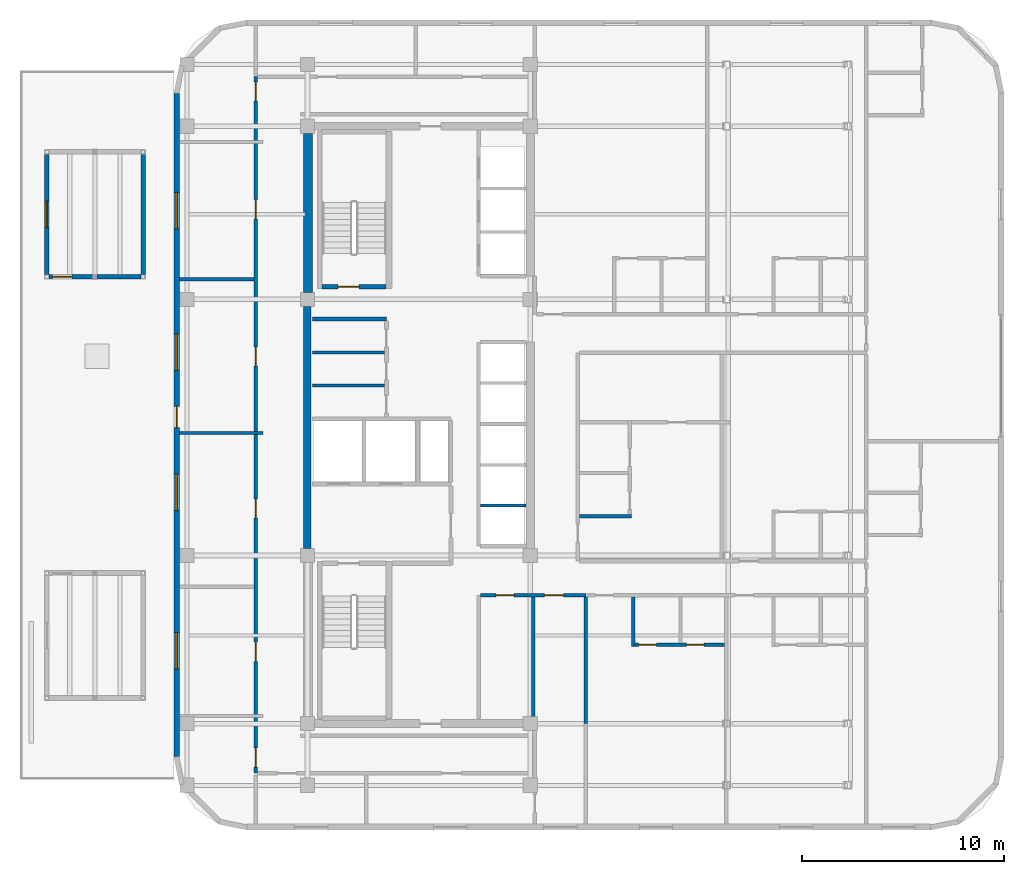
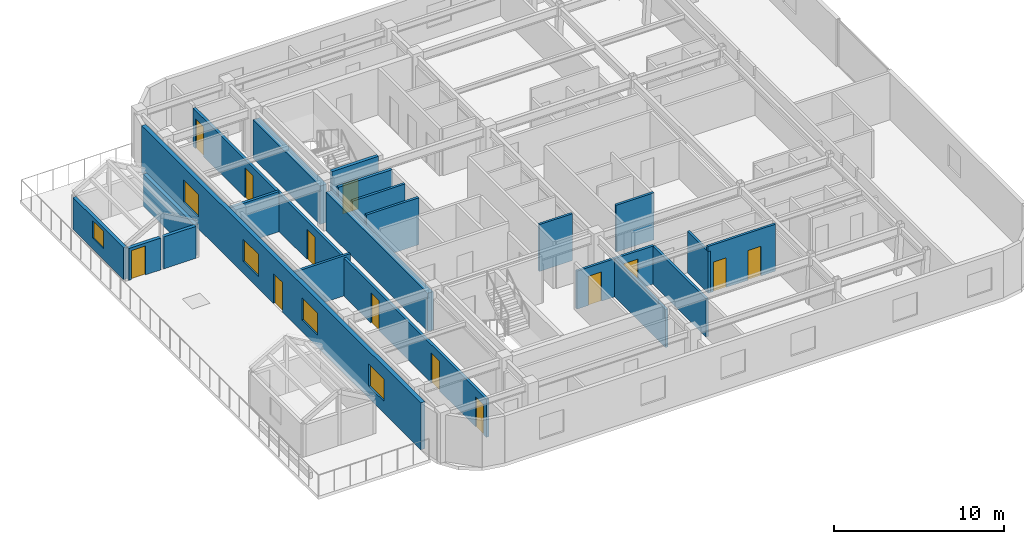
# One storey, part 12 of 16: 21 walls, 13 doors, 5 windows, 18 openings.
"""IFC4 building model written with IfcOpenShell, lengths in metres."""

import ifcopenshell
import ifcopenshell.guid

model = None  # the IFC model being written
_history = None  # IfcOwnerHistory: only IFC2X3 demands one
_inside = {}  # id of a spatial element -> (the spatial element, [elements in it])
_under = {}  # id of a project, library or spatial element -> (it, [spatial elements below it])
_declared = {}  # id of a project -> (the project, [libraries it declares])
_typed = {}  # id of a type object -> (the type object, [elements of that type])
_made_of = {}  # id of a material, layer set ... -> (it, [elements and type objects made of it])


def new_model(schema):
    """Start an empty IFC model of exactly this schema.

    Asked for "IFC4X3", IfcOpenShell would pick the latest addendum, in which some entities
    have other attributes; the version numbers below select the first issue.
    IFC2X3 requires an IfcOwnerHistory on every rooted entity: one is made here for all.
    """
    global model, _history
    if schema == "IFC4X3":
        model = ifcopenshell.file(schema_version=(4, 3, 0, 0))
    else:
        model = ifcopenshell.file(schema=schema)
    _inside.clear()
    _under.clear()
    _declared.clear()
    _typed.clear()
    _made_of.clear()
    _history = None
    if model.schema == "IFC2X3":
        org = make("IfcOrganization", Name="unknown")
        user = make(
            "IfcPersonAndOrganization",
            ThePerson=make("IfcPerson", FamilyName="unknown"),
            TheOrganization=org,
        )
        app = make(
            "IfcApplication",
            ApplicationDeveloper=org,
            Version="unknown",
            ApplicationFullName="unknown",
            ApplicationIdentifier="unknown",
        )
        _history = make(
            "IfcOwnerHistory",
            OwningUser=user,
            OwningApplication=app,
            ChangeAction="ADDED",
            CreationDate=0,
        )
    return model


def make(cls, **values):
    """One entity of the class cls with the attributes given. An attribute that is None is left unset."""
    return model.create_entity(
        cls, **{name: value for name, value in values.items() if value is not None}
    )


def rooted(cls, **values):
    """An entity with a GlobalId (a new one), such as an element, a storey or a relation."""
    return make(cls, GlobalId=ifcopenshell.guid.new(), OwnerHistory=_history, **values)


def si_unit(unit_type, name, prefix=None):
    """IfcSIUnit, for example si_unit("LENGTHUNIT", "METRE", prefix="MILLI")."""
    return make("IfcSIUnit", UnitType=unit_type, Prefix=prefix, Name=name)


def assignment(units):
    """IfcUnitAssignment: the units of a project."""
    return None if units is None else make("IfcUnitAssignment", Units=units)


def point(xyz):
    """IfcCartesianPoint."""
    return None if xyz is None else make("IfcCartesianPoint", Coordinates=xyz)


def direction(xyz):
    """IfcDirection."""
    return None if xyz is None else make("IfcDirection", DirectionRatios=xyz)


def frame(location, z_axis=None, x_axis=None):
    """IfcAxis2Placement3D, a coordinate frame: its origin and axes. An axis left out is left unset."""
    return make(
        "IfcAxis2Placement3D",
        Location=point(location),
        Axis=direction(z_axis),
        RefDirection=direction(x_axis),
    )


def frame_2d(location, x_axis=None):
    """IfcAxis2Placement2D, a coordinate frame in the plane: its origin and x axis."""
    return make(
        "IfcAxis2Placement2D", Location=point(location), RefDirection=direction(x_axis)
    )


def origin():
    """The frame at (0, 0, 0) with its axes left unset."""
    return frame((0.0, 0.0, 0.0))


def place(relative_to, where):
    """IfcLocalPlacement: puts the frame where relative to a parent placement (None: the world)."""
    return make(
        "IfcLocalPlacement", PlacementRelTo=relative_to, RelativePlacement=where
    )


def context(
    kind, dimensions, precision=None, world=None, true_north=None, identifier=None
):
    """IfcGeometricRepresentationContext, for example the 3D "Model" context."""
    return make(
        "IfcGeometricRepresentationContext",
        ContextIdentifier=identifier,
        ContextType=kind,
        CoordinateSpaceDimension=dimensions,
        Precision=precision,
        WorldCoordinateSystem=world,
        TrueNorth=true_north,
    )


def subcontext(parent, identifier, kind, view, scale=None):
    """IfcGeometricRepresentationSubContext, for example "Body" below "Model"."""
    return make(
        "IfcGeometricRepresentationSubContext",
        ContextIdentifier=identifier,
        ContextType=kind,
        ParentContext=parent,
        TargetScale=scale,
        TargetView=view,
    )


def project(units=None, contexts=None):
    """IfcProject with its units and contexts."""
    return rooted(
        "IfcProject",
        Name="project",
        RepresentationContexts=contexts,
        UnitsInContext=assignment(units),
    )


def spatial(cls, under=None, at=None, **own):
    """A site, building, storey or space (cls), placed at a placement, below another one or the project."""
    s = rooted(cls, ObjectPlacement=at, **own)
    if under is not None:
        _under.setdefault(under.id(), (under, []))[1].append(s)
    return s


def profile(cls, at=None, kind="AREA", **sizes):
    """A parametric profile (cls). Its sizes go by their IFC names, for example OverallWidth=200.0."""
    return make(cls, ProfileType=kind, Position=at, **sizes)


def rectangle(**sizes):
    """IfcRectangleProfileDef."""
    return profile("IfcRectangleProfileDef", **sizes)


def extrude(swept, where, along, depth):
    """IfcExtrudedAreaSolid: the profile swept, set in the frame where, extruded along a direction by depth."""
    return make(
        "IfcExtrudedAreaSolid",
        SweptArea=swept,
        Position=where,
        ExtrudedDirection=direction(along),
        Depth=depth,
    )


def shape(context_of_items, identifier, shape_type, items):
    """IfcShapeRepresentation: the items that make up one representation, for example the "Body"."""
    return make(
        "IfcShapeRepresentation",
        ContextOfItems=context_of_items,
        RepresentationIdentifier=identifier,
        RepresentationType=shape_type,
        Items=items,
    )


def material(Name=None, Category=None):
    """IfcMaterial."""
    return make("IfcMaterial", Name=Name, Category=Category)


def layer(
    of_material, thickness, ventilated=None, Name=None, Category=None, Priority=None
):
    """IfcMaterialLayer: one layer of a wall or slab, of a material (None: an air gap)."""
    return make(
        "IfcMaterialLayer",
        Material=of_material,
        LayerThickness=thickness,
        IsVentilated=ventilated,
        Name=Name,
        Category=Category,
        Priority=Priority,
    )


def layer_set(layers, Name=None):
    """IfcMaterialLayerSet."""
    return make("IfcMaterialLayerSet", MaterialLayers=layers, LayerSetName=Name)


def made_of(thing, what):
    """Note that an element or type object is made of a material, layer set ...; save() writes the relation."""
    if what is not None:
        _made_of.setdefault(what.id(), (what, []))[1].append(thing)
    return thing


def type_object(cls, material=None, **own):
    """A type object (cls), such as IfcWallType, which elements share."""
    return made_of(rooted(cls, **own), material)


def element(
    cls,
    number,
    at=None,
    inside=None,
    cuts=None,
    type_object=None,
    material=None,
    context=None,
    identifier="Body",
    shape_type=None,
    held_by="IfcProductDefinitionShape",
    body=None,
    shapes=None,
    **own,
):
    """One element of the class cls, such as IfcWall. Its Tag is "e" and its number.

    at: its placement. inside: the storey or other place that contains it. cuts: it is an
    opening in that element (IfcRelVoidsElement). A single representation is given by context,
    identifier, shape_type and body (its items); several are given by shapes. held_by: the class
    of the entity that holds the representations. save() writes the other relations.
    """
    e = rooted(cls, Tag="e%d" % number, ObjectPlacement=at, **own)
    if body is not None:
        shapes = [shape(context, identifier, shape_type, body)]
    if shapes is not None:
        e.Representation = make(held_by, Representations=shapes)
    if inside is not None:
        _inside.setdefault(inside.id(), (inside, []))[1].append(e)
    if cuts is not None:
        rooted(
            "IfcRelVoidsElement", RelatingBuildingElement=cuts, RelatedOpeningElement=e
        )
    if type_object is not None:
        _typed.setdefault(type_object.id(), (type_object, []))[1].append(e)
    return made_of(e, material)


def fill(opening, filler):
    """IfcRelFillsElement: the door or window that sits in an opening."""
    return rooted(
        "IfcRelFillsElement",
        RelatingOpeningElement=opening,
        RelatedBuildingElement=filler,
    )


def aggregate(whole, parts):
    """IfcRelAggregates: a whole, such as a stair, and the parts it consists of."""
    return rooted("IfcRelAggregates", RelatingObject=whole, RelatedObjects=parts)


def save(model, path):
    """Write the relations noted so far, then the file.

    IfcRelAggregates (storeys below a building ...), IfcRelContainedInSpatialStructure (elements
    in a storey), IfcRelDefinesByType, IfcRelAssociatesMaterial and IfcRelDeclares: one each for
    every whole, place, type object, material and project.
    """
    for whole, parts in _under.values():
        aggregate(whole, parts)
    for where, things in _inside.values():
        rooted(
            "IfcRelContainedInSpatialStructure",
            RelatedElements=things,
            RelatingStructure=where,
        )
    for kind, things in _typed.values():
        rooted("IfcRelDefinesByType", RelatedObjects=things, RelatingType=kind)
    for what, things in _made_of.values():
        rooted("IfcRelAssociatesMaterial", RelatedObjects=things, RelatingMaterial=what)
    for by, libraries in _declared.values():
        rooted("IfcRelDeclares", RelatingContext=by, RelatedDefinitions=libraries)
    model.write(path)


model = new_model("IFC4")

# Units and contexts
model_context = context("Model", 3, precision=1e-05, world=origin(), true_north=direction((0.0, 1.0)))
body_context = subcontext(model_context, "Body", "Model", "MODEL_VIEW")
ifc_project = project(units=[si_unit("LENGTHUNIT", "METRE"), si_unit("AREAUNIT", "SQUARE_METRE"), si_unit("VOLUMEUNIT", "CUBIC_METRE"), si_unit("PLANEANGLEUNIT", "RADIAN"), si_unit("MASSUNIT", "GRAM", prefix="KILO")], contexts=[model_context])

# Site, building, storey
site_placement = place(None, origin())
site = spatial("IfcSite", under=ifc_project, at=site_placement, CompositionType="ELEMENT")
building_placement = place(site_placement, origin())
building = spatial("IfcBuilding", under=site, at=building_placement, Name="Ochreholt Gables", CompositionType="ELEMENT")
storey_placement = place(building_placement, frame((0.0, 0.0, 141.0)))
storey = spatial("IfcBuildingStorey", under=building, at=storey_placement, Name="L36", CompositionType="ELEMENT", Elevation=141.0)

# Walls
ifc_material_1 = material(Name="Concrete 50 MPa", Category="concrete")
ifc_layer_1 = layer(ifc_material_1, 0.3798828125, Name="Concrete 50 MPa")
ifc_layer_set_1 = layer_set([ifc_layer_1], Name="Concrete 50 MPa")
wall_type_1 = type_object("IfcWallType", Name="WALL-CSW-380", PredefinedType="SHEAR", material=ifc_layer_set_1)
wall_1_placement = place(storey_placement, frame((24.18994140625, 17.89990234375, 0.0), z_axis=(0.0, 0.0, 1.0), x_axis=(0.0, 1.0, 0.0)))
element("IfcWall", 1, at=wall_1_placement, inside=storey, type_object=wall_type_1, Name="L36 Core West Shear Wall WM", PredefinedType="SHEAR", context=body_context, shape_type="SweptSolid", body=[
    extrude(rectangle(XDim=11.9501953125, YDim=0.3798828125, at=frame_2d((5.97509765625, 0.0))), origin(), (0.0, 0.0, 1.0), 2.748046875),
])
ifc_material_2 = material(Name="Concrete 60 MPa", Category="concrete")
ifc_layer_2 = layer(ifc_material_2, 0.449951171875, Name="Concrete 60 MPa")
ifc_layer_set_2 = layer_set([ifc_layer_2], Name="Concrete 60 MPa")
wall_type_2 = type_object("IfcWallType", Name="WALL-CSW-450", PredefinedType="SHEAR", material=ifc_layer_set_2)
wall_2_placement = place(storey_placement, frame((24.22509765625, 30.550048828125, 0.0), z_axis=(0.0, 0.0, 1.0), x_axis=(0.0, 1.0, 0.0)))
element("IfcWall", 2, at=wall_2_placement, inside=storey, type_object=wall_type_2, Name="L36 Core West Shear Wall WN", PredefinedType="SHEAR", context=body_context, shape_type="SweptSolid", body=[
    extrude(rectangle(XDim=7.849853515625, YDim=0.449951171875, at=frame_2d((3.9248046875, 0.0))), origin(), (0.0, 0.0, 1.0), 2.748046875),
])

# Wall, openings, door, windows
ifc_material_3 = material(Name="Precast concrete 40 MPa", Category="concrete")
ifc_layer_3 = layer(ifc_material_3, 0.280029296875, Name="Precast concrete 40 MPa")
ifc_layer_set_3 = layer_set([ifc_layer_3], Name="Precast concrete 40 MPa")
wall_type_3 = type_object("IfcWallType", Name="WALL-EXT-280", PredefinedType="SOLIDWALL", material=ifc_layer_set_3)
wall_3_placement = place(storey_placement, frame((17.739990234375, 40.3798828125, 0.0), z_axis=(0.0, 0.0, 1.0), x_axis=(0.0, -1.0, 0.0)))
wall_3 = element("IfcWall", 3, at=wall_3_placement, inside=storey, type_object=wall_type_3, Name="L36 West Exterior Wall", PredefinedType="SOLIDWALL", context=body_context, shape_type="SweptSolid", body=[
    extrude(rectangle(XDim=32.759765625, YDim=0.280029296875, at=frame_2d((16.3798828125, 0.0))), origin(), (0.0, 0.0, 1.0), 3.360107421875),
])
opening_1_placement = place(wall_3_placement, frame((15.4599609375, 0.0, 0.0)))
opening_1 = element("IfcOpeningElement", 4, at=opening_1_placement, cuts=wall_3, Name="Opening D-TR1", PredefinedType="OPENING", context=body_context, shape_type="SweptSolid", body=[
    extrude(rectangle(XDim=1.050048828125, YDim=2.14990234375, at=frame_2d((0.52490234375, 1.074951171875))), frame((0.0, 0.14990234375, 0.0), z_axis=(0.0, -1.0, 0.0), x_axis=(1.0, 0.0, 0.0)), (0.0, 0.0, 1.0), 0.300048828125),
])
opening_2_placement = place(wall_3_placement, frame((26.635009765625, 0.0, 0.85009765625)))
opening_2 = element("IfcOpeningElement", 5, at=opening_2_placement, cuts=wall_3, Name="Opening WN-1", PredefinedType="OPENING", context=body_context, shape_type="SweptSolid", body=[
    extrude(rectangle(XDim=1.800048828125, YDim=1.60009765625, at=frame_2d((0.89990234375, 0.800048828125))), frame((0.0, 0.14990234375, 0.0), z_axis=(0.0, -1.0, 0.0), x_axis=(1.0, 0.0, 0.0)), (0.0, 0.0, 1.0), 0.300048828125),
])
opening_3_placement = place(wall_3_placement, frame((18.81005859375, 0.0, 0.85009765625)))
opening_3 = element("IfcOpeningElement", 6, at=opening_3_placement, cuts=wall_3, Name="Opening WN-1", PredefinedType="OPENING", context=body_context, shape_type="SweptSolid", body=[
    extrude(rectangle(XDim=1.800048828125, YDim=1.60009765625, at=frame_2d((0.89990234375, 0.800048828125))), frame((0.0, 0.14990234375, 0.0), z_axis=(0.0, -1.0, 0.0), x_axis=(1.0, 0.0, 0.0)), (0.0, 0.0, 1.0), 0.300048828125),
])
opening_4_placement = place(wall_3_placement, frame((11.8798828125, 0.0, 0.85009765625)))
opening_4 = element("IfcOpeningElement", 7, at=opening_4_placement, cuts=wall_3, Name="Opening WN-1", PredefinedType="OPENING", context=body_context, shape_type="SweptSolid", body=[
    extrude(rectangle(XDim=1.800048828125, YDim=1.60009765625, at=frame_2d((0.89990234375, 0.800048828125))), frame((0.0, 0.14990234375, 0.0), z_axis=(0.0, -1.0, 0.0), x_axis=(1.0, 0.0, 0.0)), (0.0, 0.0, 1.0), 0.300048828125),
])
opening_5_placement = place(wall_3_placement, frame((4.892578125, 0.0, 0.85009765625)))
opening_5 = element("IfcOpeningElement", 8, at=opening_5_placement, cuts=wall_3, Name="Opening WN-1", PredefinedType="OPENING", context=body_context, shape_type="SweptSolid", body=[
    extrude(rectangle(XDim=1.800048828125, YDim=1.60009765625, at=frame_2d((0.89990234375, 0.800048828125))), frame((0.0, 0.14990234375, 0.0), z_axis=(0.0, -1.0, 0.0), x_axis=(1.0, 0.0, 0.0)), (0.0, 0.0, 1.0), 0.300048828125),
])
ifc_material_4 = material(Name="Thermally Broken Insulated Steel and Glass Door", Category="steel")
door_type_1 = type_object("IfcDoorType", Name="DR-EXT-TER1050", OperationType="NOTDEFINED", PredefinedType="DOOR", material=ifc_material_4)
door_1_placement = place(opening_1_placement, origin())
door_1 = element("IfcDoor", 9, at=door_1_placement, inside=storey, type_object=door_type_1, Name="L36 Outdoor Terrace Access Door TR-L36-W", OperationType="SINGLE_SWING_RIGHT", OverallHeight=2.14990234375, OverallWidth=1.050048828125, PredefinedType="DOOR", context=body_context, shape_type="SweptSolid", body=[
    extrude(rectangle(XDim=1.050048828125, YDim=2.14990234375, at=frame_2d((0.52490234375, 1.074951171875))), frame((0.0, 0.02490234375, 0.0), z_axis=(0.0, -1.0, 0.0), x_axis=(1.0, 0.0, 0.0)), (0.0, 0.0, 1.0), 0.050048828125),
])
fill(opening_1, door_1)
ifc_material_5 = material(Name="Triple-Glazed Thermally Broken Aluminium Window", Category="aluminium")
window_type_1 = type_object("IfcWindowType", Name="WIN-RES-1800", PartitioningType="SINGLE_PANEL", PredefinedType="WINDOW", material=ifc_material_5)
window_1_placement = place(opening_2_placement, origin())
window_1 = element("IfcWindow", 10, at=window_1_placement, inside=storey, type_object=window_type_1, Name="L36 Window W-EXT-W-L36-1", OverallHeight=1.60009765625, OverallWidth=1.800048828125, PartitioningType="SINGLE_PANEL", PredefinedType="WINDOW", context=body_context, shape_type="SweptSolid", body=[
    extrude(rectangle(XDim=1.800048828125, YDim=1.60009765625, at=frame_2d((0.89990234375, 0.800048828125))), frame((0.0, 0.030029296875, 0.0), z_axis=(0.0, -1.0, 0.0), x_axis=(1.0, 0.0, 0.0)), (0.0, 0.0, 1.0), 0.06005859375),
])
fill(opening_2, window_1)
window_2_placement = place(opening_3_placement, origin())
window_2 = element("IfcWindow", 11, at=window_2_placement, inside=storey, type_object=window_type_1, Name="L36 Window W-EXT-W-L36-2", OverallHeight=1.60009765625, OverallWidth=1.800048828125, PartitioningType="SINGLE_PANEL", PredefinedType="WINDOW", context=body_context, shape_type="SweptSolid", body=[
    extrude(rectangle(XDim=1.800048828125, YDim=1.60009765625, at=frame_2d((0.89990234375, 0.800048828125))), frame((0.0, 0.030029296875, 0.0), z_axis=(0.0, -1.0, 0.0), x_axis=(1.0, 0.0, 0.0)), (0.0, 0.0, 1.0), 0.06005859375),
])
fill(opening_3, window_2)
window_3_placement = place(opening_4_placement, origin())
window_3 = element("IfcWindow", 12, at=window_3_placement, inside=storey, type_object=window_type_1, Name="L36 Window W-EXT-W-L36-3", OverallHeight=1.60009765625, OverallWidth=1.800048828125, PartitioningType="SINGLE_PANEL", PredefinedType="WINDOW", context=body_context, shape_type="SweptSolid", body=[
    extrude(rectangle(XDim=1.800048828125, YDim=1.60009765625, at=frame_2d((0.89990234375, 0.800048828125))), frame((0.0, 0.030029296875, 0.0), z_axis=(0.0, -1.0, 0.0), x_axis=(1.0, 0.0, 0.0)), (0.0, 0.0, 1.0), 0.06005859375),
])
fill(opening_4, window_3)
window_4_placement = place(opening_5_placement, origin())
window_4 = element("IfcWindow", 13, at=window_4_placement, inside=storey, type_object=window_type_1, Name="L36 Window W-EXT-W-L36-4", OverallHeight=1.60009765625, OverallWidth=1.800048828125, PartitioningType="SINGLE_PANEL", PredefinedType="WINDOW", context=body_context, shape_type="SweptSolid", body=[
    extrude(rectangle(XDim=1.800048828125, YDim=1.60009765625, at=frame_2d((0.89990234375, 0.800048828125))), frame((0.0, 0.030029296875, 0.0), z_axis=(0.0, -1.0, 0.0), x_axis=(1.0, 0.0, 0.0)), (0.0, 0.0, 1.0), 0.06005859375),
])
fill(opening_5, window_4)

# Wall, opening, door
ifc_layer_4 = layer(ifc_material_3, 0.22998046875, Name="Precast concrete 40 MPa")
ifc_layer_set_4 = layer_set([ifc_layer_4], Name="Precast concrete 40 MPa")
wall_type_4 = type_object("IfcWallType", Name="WALL-EXT-GAB", PredefinedType="SOLIDWALL", material=ifc_layer_set_4)
wall_4_placement = place(storey_placement, frame((11.422119140625, 31.31494140625, 0.0), z_axis=(0.0, 0.0, 1.0), x_axis=(1.0, 0.0, 0.0)))
wall_4 = element("IfcWall", 14, at=wall_4_placement, inside=storey, type_object=wall_type_4, Name="L36 Gable End Wall GB-36W2-S1", PredefinedType="SOLIDWALL", context=body_context, shape_type="SweptSolid", body=[
    extrude(rectangle(XDim=2.17578125, YDim=0.22998046875, at=frame_2d((1.087890625, 0.0))), origin(), (0.0, 0.0, 1.0), 2.285400390625),
])
opening_6_placement = place(wall_4_placement, frame((0.179931640625, 0.0, 0.0)))
opening_6 = element("IfcOpeningElement", 15, at=opening_6_placement, cuts=wall_4, Name="Opening D-GB1", PredefinedType="OPENING", context=body_context, shape_type="SweptSolid", body=[
    extrude(rectangle(XDim=0.9599609375, YDim=2.080078125, at=frame_2d((0.47998046875, 1.0400390625))), frame((0.0, 0.125, 0.0), z_axis=(0.0, -1.0, 0.0), x_axis=(1.0, 0.0, 0.0)), (0.0, 0.0, 1.0), 0.25),
])
door_type_2 = type_object("IfcDoorType", Name="DR-EXT-GAB960", OperationType="NOTDEFINED", PredefinedType="DOOR", material=ifc_material_4)
door_2_placement = place(opening_6_placement, origin())
door_2 = element("IfcDoor", 16, at=door_2_placement, inside=storey, type_object=door_type_2, Name="L36 Gable Pavilion Door GB-36W2", OperationType="SINGLE_SWING_LEFT", OverallHeight=2.080078125, OverallWidth=0.9599609375, PredefinedType="DOOR", context=body_context, shape_type="SweptSolid", body=[
    extrude(rectangle(XDim=0.9599609375, YDim=2.080078125, at=frame_2d((0.47998046875, 1.0400390625))), frame((0.0, 0.02490234375, 0.0), z_axis=(0.0, -1.0, 0.0), x_axis=(1.0, 0.0, 0.0)), (0.0, 0.0, 1.0), 0.050048828125),
])
fill(opening_6, door_2)

# Wall
wall_5_placement = place(storey_placement, frame((13.802001953125, 31.31494140625, 0.0), z_axis=(0.0, 0.0, 1.0), x_axis=(1.0, 0.0, 0.0)))
element("IfcWall", 17, at=wall_5_placement, inside=storey, type_object=wall_type_4, Name="L36 Gable End Wall GB-36W2-S2", PredefinedType="SOLIDWALL", context=body_context, shape_type="SweptSolid", body=[
    extrude(rectangle(XDim=2.176025390625, YDim=0.22998046875, at=frame_2d((1.087890625, 0.0))), origin(), (0.0, 0.0, 1.0), 2.285400390625),
])

# Wall, opening, window
wall_6_placement = place(storey_placement, frame((11.31494140625, 31.422119140625, 0.0), z_axis=(0.0, 0.0, 1.0), x_axis=(0.0, 1.0, 0.0)))
wall_6 = element("IfcWall", 18, at=wall_6_placement, inside=storey, type_object=wall_type_4, Name="L36 Gable Eave Wall GB-36W2-W", PredefinedType="SOLIDWALL", context=body_context, shape_type="SweptSolid", body=[
    extrude(rectangle(XDim=5.955810546875, YDim=0.22998046875, at=frame_2d((2.97802734375, 0.0))), origin(), (0.0, 0.0, 1.0), 2.285400390625),
])
opening_7_placement = place(wall_6_placement, frame((2.327880859375, 0.0, 0.780029296875)))
opening_7 = element("IfcOpeningElement", 19, at=opening_7_placement, cuts=wall_6, Name="Opening WN-6", PredefinedType="OPENING", context=body_context, shape_type="SweptSolid", body=[
    extrude(rectangle(XDim=1.300048828125, YDim=1.25, at=frame_2d((0.64990234375, 0.625))), frame((0.0, 0.125, 0.0), z_axis=(0.0, -1.0, 0.0), x_axis=(1.0, 0.0, 0.0)), (0.0, 0.0, 1.0), 0.25),
])
window_type_2 = type_object("IfcWindowType", Name="WIN-GAB-1300", PartitioningType="SINGLE_PANEL", PredefinedType="WINDOW", material=ifc_material_5)
window_5_placement = place(opening_7_placement, origin())
window_5 = element("IfcWindow", 20, at=window_5_placement, inside=storey, type_object=window_type_2, Name="L36 Gable Pavilion Window GB-36W2", OverallHeight=1.25, OverallWidth=1.300048828125, PartitioningType="SINGLE_PANEL", PredefinedType="WINDOW", context=body_context, shape_type="SweptSolid", body=[
    extrude(rectangle(XDim=1.300048828125, YDim=1.25, at=frame_2d((0.64990234375, 0.625))), frame((0.0, 0.030029296875, 0.0), z_axis=(0.0, -1.0, 0.0), x_axis=(1.0, 0.0, 0.0)), (0.0, 0.0, 1.0), 0.06005859375),
])
fill(opening_7, window_5)

# Walls
wall_7_placement = place(storey_placement, frame((16.0849609375, 31.422119140625, 0.0), z_axis=(0.0, 0.0, 1.0), x_axis=(0.0, 1.0, 0.0)))
element("IfcWall", 21, at=wall_7_placement, inside=storey, type_object=wall_type_4, Name="L36 Gable Eave Wall GB-36W2-E", PredefinedType="SOLIDWALL", context=body_context, shape_type="SweptSolid", body=[
    extrude(rectangle(XDim=5.955810546875, YDim=0.22998046875, at=frame_2d((2.97802734375, 0.0))), origin(), (0.0, 0.0, 1.0), 2.285400390625),
])
ifc_material_6 = material(Name="Concrete 40 MPa", Category="concrete")
ifc_layer_5 = layer(ifc_material_6, 0.199951171875, Name="Concrete 40 MPa")
ifc_layer_set_5 = layer_set([ifc_layer_5], Name="Concrete 40 MPa")
wall_type_5 = type_object("IfcWallType", Name="WALL-INT-CF200", PredefinedType="STANDARD", material=ifc_layer_set_5)
wall_8_placement = place(storey_placement, frame((24.449951171875, 29.239990234375, 0.0), z_axis=(0.0, 0.0, 1.0), x_axis=(1.0, 0.0, 0.0)))
element("IfcWall", 22, at=wall_8_placement, inside=storey, type_object=wall_type_5, Name="L36 Interior Wall WI-SRVN-L36", PredefinedType="STANDARD", context=body_context, shape_type="SweptSolid", body=[
    extrude(rectangle(XDim=3.650146484375, YDim=0.199951171875, at=frame_2d((1.8251953125, 0.0))), origin(), (0.0, 0.0, 1.0), 3.360107421875),
])

# Wall, openings, doors
ifc_material_7 = material(Name="Fire-Rated Gypsum Acoustic Partition", Category="gypsum")
ifc_layer_6 = layer(ifc_material_7, 0.179931640625, Name="Fire-Rated Gypsum Acoustic Partition")
ifc_layer_set_6 = layer_set([ifc_layer_6], Name="Fire-Rated Gypsum Acoustic Partition")
wall_type_6 = type_object("IfcWallType", Name="WALL-INT-CR180", PredefinedType="STANDARD", material=ifc_layer_set_6)
wall_9_placement = place(storey_placement, frame((21.64990234375, 6.800048828125, 0.0), z_axis=(0.0, 0.0, 1.0), x_axis=(0.0, 1.0, 0.0)))
wall_9 = element("IfcWall", 23, at=wall_9_placement, inside=storey, type_object=wall_type_6, Name="L36 Interior Wall WI-C2WCW-L36", PredefinedType="STANDARD", context=body_context, shape_type="SweptSolid", body=[
    extrude(rectangle(XDim=34.39990234375, YDim=0.179931640625, at=frame_2d((17.199951171875, 0.0))), origin(), (0.0, 0.0, 1.0), 2.72998046875),
])
opening_8_placement = place(wall_9_placement, frame((0.300048828125, 0.0, 0.0)))
opening_8 = element("IfcOpeningElement", 24, at=opening_8_placement, cuts=wall_9, Name="Opening D-GN1", PredefinedType="OPENING", context=body_context, shape_type="SweptSolid", body=[
    extrude(rectangle(XDim=0.949951171875, YDim=2.14990234375, at=frame_2d((0.47509765625, 1.074951171875))), frame((0.0, 0.099853515625, 0.0), z_axis=(0.0, -1.0, 0.0), x_axis=(1.0, 0.0, 0.0)), (0.0, 0.0, 1.0), 0.199951171875),
])
opening_9_placement = place(wall_9_placement, frame((5.517578125, 0.0, 0.0)))
opening_9 = element("IfcOpeningElement", 25, at=opening_9_placement, cuts=wall_9, Name="Opening D-GN1", PredefinedType="OPENING", context=body_context, shape_type="SweptSolid", body=[
    extrude(rectangle(XDim=0.949951171875, YDim=2.14990234375, at=frame_2d((0.47509765625, 1.074951171875))), frame((0.0, 0.099853515625, 0.0), z_axis=(0.0, -1.0, 0.0), x_axis=(1.0, 0.0, 0.0)), (0.0, 0.0, 1.0), 0.199951171875),
])
opening_10_placement = place(wall_9_placement, frame((12.594970703125, 0.0, 0.0)))
opening_10 = element("IfcOpeningElement", 26, at=opening_10_placement, cuts=wall_9, Name="Opening D-GN1", PredefinedType="OPENING", context=body_context, shape_type="SweptSolid", body=[
    extrude(rectangle(XDim=0.949951171875, YDim=2.14990234375, at=frame_2d((0.47509765625, 1.074951171875))), frame((0.0, 0.099853515625, 0.0), z_axis=(0.0, -1.0, 0.0), x_axis=(1.0, 0.0, 0.0)), (0.0, 0.0, 1.0), 0.199951171875),
])
opening_11_placement = place(wall_9_placement, frame((20.10498046875, 0.0, 0.0)))
opening_11 = element("IfcOpeningElement", 27, at=opening_11_placement, cuts=wall_9, Name="Opening D-GN1", PredefinedType="OPENING", context=body_context, shape_type="SweptSolid", body=[
    extrude(rectangle(XDim=0.949951171875, YDim=2.14990234375, at=frame_2d((0.47509765625, 1.074951171875))), frame((0.0, 0.099853515625, 0.0), z_axis=(0.0, -1.0, 0.0), x_axis=(1.0, 0.0, 0.0)), (0.0, 0.0, 1.0), 0.199951171875),
])
opening_12_placement = place(wall_9_placement, frame((27.382568359375, 0.0, 0.0)))
opening_12 = element("IfcOpeningElement", 28, at=opening_12_placement, cuts=wall_9, Name="Opening D-GN1", PredefinedType="OPENING", context=body_context, shape_type="SweptSolid", body=[
    extrude(rectangle(XDim=0.949951171875, YDim=2.14990234375, at=frame_2d((0.47509765625, 1.074951171875))), frame((0.0, 0.099853515625, 0.0), z_axis=(0.0, -1.0, 0.0), x_axis=(1.0, 0.0, 0.0)), (0.0, 0.0, 1.0), 0.199951171875),
])
opening_13_placement = place(wall_9_placement, frame((33.18994140625, 0.0, 0.0)))
opening_13 = element("IfcOpeningElement", 29, at=opening_13_placement, cuts=wall_9, Name="Opening D-GN1", PredefinedType="OPENING", context=body_context, shape_type="SweptSolid", body=[
    extrude(rectangle(XDim=0.949951171875, YDim=2.14990234375, at=frame_2d((0.47509765625, 1.074951171875))), frame((0.0, 0.099853515625, 0.0), z_axis=(0.0, -1.0, 0.0), x_axis=(1.0, 0.0, 0.0)), (0.0, 0.0, 1.0), 0.199951171875),
])
ifc_material_8 = material(Name="Engineered Oak Timber", Category="wood")
door_type_3 = type_object("IfcDoorType", Name="DR-INT-GEN950", OperationType="NOTDEFINED", PredefinedType="DOOR", material=ifc_material_8)
door_3_placement = place(opening_8_placement, origin())
door_3 = element("IfcDoor", 30, at=door_3_placement, inside=storey, type_object=door_type_3, Name="L36 Door D-U-L36W1A-ENT", OperationType="SINGLE_SWING_RIGHT", OverallHeight=2.14990234375, OverallWidth=0.949951171875, PredefinedType="DOOR", context=body_context, shape_type="SweptSolid", body=[
    extrude(rectangle(XDim=0.949951171875, YDim=2.14990234375, at=frame_2d((0.47509765625, 1.074951171875))), frame((0.0, 0.02490234375, 0.0), z_axis=(0.0, -1.0, 0.0), x_axis=(1.0, 0.0, 0.0)), (0.0, 0.0, 1.0), 0.050048828125),
])
fill(opening_8, door_3)
door_4_placement = place(opening_9_placement, origin())
door_4 = element("IfcDoor", 31, at=door_4_placement, inside=storey, type_object=door_type_3, Name="L36 Door D-U-L36W1B-ENT", OperationType="SINGLE_SWING_LEFT", OverallHeight=2.14990234375, OverallWidth=0.949951171875, PredefinedType="DOOR", context=body_context, shape_type="SweptSolid", body=[
    extrude(rectangle(XDim=0.949951171875, YDim=2.14990234375, at=frame_2d((0.47509765625, 1.074951171875))), frame((0.0, 0.02490234375, 0.0), z_axis=(0.0, -1.0, 0.0), x_axis=(1.0, 0.0, 0.0)), (0.0, 0.0, 1.0), 0.050048828125),
])
fill(opening_9, door_4)
door_5_placement = place(opening_10_placement, origin())
door_5 = element("IfcDoor", 32, at=door_5_placement, inside=storey, type_object=door_type_3, Name="L36 Door D-U-L36W2A-ENT", OperationType="SINGLE_SWING_LEFT", OverallHeight=2.14990234375, OverallWidth=0.949951171875, PredefinedType="DOOR", context=body_context, shape_type="SweptSolid", body=[
    extrude(rectangle(XDim=0.949951171875, YDim=2.14990234375, at=frame_2d((0.47509765625, 1.074951171875))), frame((0.0, 0.02490234375, 0.0), z_axis=(0.0, -1.0, 0.0), x_axis=(1.0, 0.0, 0.0)), (0.0, 0.0, 1.0), 0.050048828125),
])
fill(opening_10, door_5)
door_6_placement = place(opening_11_placement, origin())
door_6 = element("IfcDoor", 33, at=door_6_placement, inside=storey, type_object=door_type_3, Name="L36 Door D-U-L36W2B-ENT", OperationType="SINGLE_SWING_RIGHT", OverallHeight=2.14990234375, OverallWidth=0.949951171875, PredefinedType="DOOR", context=body_context, shape_type="SweptSolid", body=[
    extrude(rectangle(XDim=0.949951171875, YDim=2.14990234375, at=frame_2d((0.47509765625, 1.074951171875))), frame((0.0, 0.02490234375, 0.0), z_axis=(0.0, -1.0, 0.0), x_axis=(1.0, 0.0, 0.0)), (0.0, 0.0, 1.0), 0.050048828125),
])
fill(opening_11, door_6)
door_7_placement = place(opening_12_placement, origin())
door_7 = element("IfcDoor", 34, at=door_7_placement, inside=storey, type_object=door_type_3, Name="L36 Door D-U-L36W3A-ENT", OperationType="SINGLE_SWING_RIGHT", OverallHeight=2.14990234375, OverallWidth=0.949951171875, PredefinedType="DOOR", context=body_context, shape_type="SweptSolid", body=[
    extrude(rectangle(XDim=0.949951171875, YDim=2.14990234375, at=frame_2d((0.47509765625, 1.074951171875))), frame((0.0, 0.02490234375, 0.0), z_axis=(0.0, -1.0, 0.0), x_axis=(1.0, 0.0, 0.0)), (0.0, 0.0, 1.0), 0.050048828125),
])
fill(opening_12, door_7)
door_8_placement = place(opening_13_placement, origin())
door_8 = element("IfcDoor", 35, at=door_8_placement, inside=storey, type_object=door_type_3, Name="L36 Door D-U-L36W3B-ENT", OperationType="SINGLE_SWING_LEFT", OverallHeight=2.14990234375, OverallWidth=0.949951171875, PredefinedType="DOOR", context=body_context, shape_type="SweptSolid", body=[
    extrude(rectangle(XDim=0.949951171875, YDim=2.14990234375, at=frame_2d((0.47509765625, 1.074951171875))), frame((0.0, 0.02490234375, 0.0), z_axis=(0.0, -1.0, 0.0), x_axis=(1.0, 0.0, 0.0)), (0.0, 0.0, 1.0), 0.050048828125),
])
fill(opening_13, door_8)

# Wall
ifc_material_9 = material(Name="Double-Stud Acoustic Demising Wall", Category="gypsum")
ifc_layer_7 = layer(ifc_material_9, 0.179931640625, Name="Double-Stud Acoustic Demising Wall")
ifc_layer_set_7 = layer_set([ifc_layer_7], Name="Double-Stud Acoustic Demising Wall")
wall_type_7 = type_object("IfcWallType", Name="WALL-INT-DM180", PredefinedType="PARTITIONING", material=ifc_layer_set_7)
wall_10_placement = place(storey_placement, frame((17.8798828125, 31.199951171875, 0.0), z_axis=(0.0, 0.0, 1.0), x_axis=(1.0, 0.0, 0.0)))
element("IfcWall", 36, at=wall_10_placement, inside=storey, type_object=wall_type_7, Name="L36 Interior Wall WI-C2UDW3-L36", PredefinedType="PARTITIONING", context=body_context, shape_type="SweptSolid", body=[
    extrude(rectangle(XDim=3.68017578125, YDim=0.179931640625, at=frame_2d((1.840087890625, 0.0))), origin(), (0.0, 0.0, 1.0), 2.87890625),
])

# Wall, openings, doors
ifc_material_10 = material(Name="Moisture-Resistant Plumbing Chase Wall", Category="gypsum")
ifc_layer_8 = layer(ifc_material_10, 0.159912109375, Name="Moisture-Resistant Plumbing Chase Wall")
ifc_layer_set_8 = layer_set([ifc_layer_8], Name="Moisture-Resistant Plumbing Chase Wall")
wall_type_8 = type_object("IfcWallType", Name="WALL-INT-PL160", PredefinedType="PLUMBINGWALL", material=ifc_layer_set_8)
wall_11_placement = place(storey_placement, frame((40.205078125, 13.139892578125, 0.0), z_axis=(0.0, 0.0, 1.0), x_axis=(1.0, 0.0, 0.0)))
wall_11 = element("IfcWall", 37, at=wall_11_placement, inside=storey, type_object=wall_type_8, Name="L36 Interior Wall WU-L36S1-WY", PredefinedType="PLUMBINGWALL", context=body_context, shape_type="SweptSolid", body=[
    extrude(rectangle(XDim=4.579833984375, YDim=0.159912109375, at=frame_2d((2.2900390625, 0.0))), origin(), (0.0, 0.0, 1.0), 3.360107421875),
])
opening_14_placement = place(wall_11_placement, frame((0.35009765625, 0.0, 0.0)))
opening_14 = element("IfcOpeningElement", 38, at=opening_14_placement, cuts=wall_11, Name="Opening D-GN2", PredefinedType="OPENING", context=body_context, shape_type="SweptSolid", body=[
    extrude(rectangle(XDim=0.8798828125, YDim=2.1201171875, at=frame_2d((0.43994140625, 1.06005859375))), frame((0.0, 0.08984375, 0.0), z_axis=(0.0, -1.0, 0.0), x_axis=(1.0, 0.0, 0.0)), (0.0, 0.0, 1.0), 0.179931640625),
])
opening_15_placement = place(wall_11_placement, frame((2.719970703125, 0.0, 0.0)))
opening_15 = element("IfcOpeningElement", 39, at=opening_15_placement, cuts=wall_11, Name="Opening D-BT1", PredefinedType="OPENING", context=body_context, shape_type="SweptSolid", body=[
    extrude(rectangle(XDim=0.860107421875, YDim=2.1201171875, at=frame_2d((0.43017578125, 1.06005859375))), frame((0.0, 0.08984375, 0.0), z_axis=(0.0, -1.0, 0.0), x_axis=(1.0, 0.0, 0.0)), (0.0, 0.0, 1.0), 0.179931640625),
])
door_type_4 = type_object("IfcDoorType", Name="DR-INT-BTH860", OperationType="NOTDEFINED", PredefinedType="DOOR", material=ifc_material_8)
door_9_placement = place(opening_15_placement, origin())
door_9 = element("IfcDoor", 40, at=door_9_placement, inside=storey, type_object=door_type_4, Name="L36 Door D-U-L36S1-BTH", OperationType="SINGLE_SWING_RIGHT", OverallHeight=2.1201171875, OverallWidth=0.860107421875, PredefinedType="DOOR", context=body_context, shape_type="SweptSolid", body=[
    extrude(rectangle(XDim=0.860107421875, YDim=2.1201171875, at=frame_2d((0.43017578125, 1.06005859375))), frame((0.0, 0.02490234375, 0.0), z_axis=(0.0, -1.0, 0.0), x_axis=(1.0, 0.0, 0.0)), (0.0, 0.0, 1.0), 0.050048828125),
])
fill(opening_15, door_9)
door_type_5 = type_object("IfcDoorType", Name="DR-INT-GEN880", OperationType="NOTDEFINED", PredefinedType="DOOR", material=ifc_material_8)
door_10_placement = place(opening_14_placement, origin())
door_10 = element("IfcDoor", 41, at=door_10_placement, inside=storey, type_object=door_type_5, Name="L36 Door D-U-L36S1-KIT", OperationType="SINGLE_SWING_LEFT", OverallHeight=2.1201171875, OverallWidth=0.8798828125, PredefinedType="DOOR", context=body_context, shape_type="SweptSolid", body=[
    extrude(rectangle(XDim=0.8798828125, YDim=2.1201171875, at=frame_2d((0.43994140625, 1.06005859375))), frame((0.0, 0.02490234375, 0.0), z_axis=(0.0, -1.0, 0.0), x_axis=(1.0, 0.0, 0.0)), (0.0, 0.0, 1.0), 0.050048828125),
])
fill(opening_14, door_10)

# Walls
wall_12_placement = place(storey_placement, frame((40.284912109375, 13.06005859375, 0.0), z_axis=(0.0, 0.0, 1.0), x_axis=(0.0, 1.0, 0.0)))
element("IfcWall", 42, at=wall_12_placement, inside=storey, type_object=wall_type_8, Name="L36 Interior Wall WU-L36S1-FY", PredefinedType="PLUMBINGWALL", context=body_context, shape_type="SweptSolid", body=[
    extrude(rectangle(XDim=2.429931640625, YDim=0.159912109375, at=frame_2d((1.21484375, 0.0))), origin(), (0.0, 0.0, 1.0), 2.98388671875),
])
wall_13_placement = place(storey_placement, frame((37.639892578125, 19.487060546875, 0.0), z_axis=(0.0, 0.0, 1.0), x_axis=(1.0, 0.0, 0.0)))
element("IfcWall", 43, at=wall_13_placement, inside=storey, type_object=wall_type_8, Name="L36 Interior Wall WU-L36M1-FYS", PredefinedType="PLUMBINGWALL", context=body_context, shape_type="SweptSolid", body=[
    extrude(rectangle(XDim=2.56005859375, YDim=0.159912109375, at=frame_2d((1.280029296875, 0.0))), origin(), (0.0, 0.0, 1.0), 3.360107421875),
])
ifc_material_11 = material(Name="Gypsum Acoustic Stud Partition", Category="gypsum")
ifc_layer_9 = layer(ifc_material_11, 0.1650390625, Name="Gypsum Acoustic Stud Partition")
ifc_layer_set_9 = layer_set([ifc_layer_9], Name="Gypsum Acoustic Stud Partition")
wall_type_9 = type_object("IfcWallType", Name="WALL-INT-PT165", PredefinedType="PARTITIONING", material=ifc_layer_set_9)
for number, where, z_axis, x_axis, name in (
    (44, (24.449951171875, 25.949951171875, 0.0), (0.0, 0.0, 1.0), (1.0, 0.0, 0.0), "L36 Interior Wall WI-SRVP1-L36"),
    (45, (24.449951171875, 27.580078125, 0.0), (0.0, 0.0, 1.0), (1.0, 0.0, 0.0), "L36 Interior Wall WI-SRVP2-L36"),
):
    element("IfcWall", number, at=place(storey_placement, frame(where, z_axis=z_axis, x_axis=x_axis)), inside=storey, type_object=wall_type_9, Name=name, PredefinedType="PARTITIONING", context=body_context, shape_type="SweptSolid", body=[
        extrude(rectangle(XDim=3.550048828125, YDim=0.1650390625, at=frame_2d((1.77490234375, 0.0))), origin(), (0.0, 0.0, 1.0), 3.360107421875),
    ])

# Wall, openings, doors
wall_14_placement = place(storey_placement, frame((32.732421875, 15.580078125, 0.0), z_axis=(0.0, 0.0, 1.0), x_axis=(1.0, 0.0, 0.0)))
wall_14 = element("IfcWall", 46, at=wall_14_placement, inside=storey, type_object=wall_type_9, Name="L36 Interior Wall WI-RCL-N-L36", PredefinedType="PARTITIONING", context=body_context, shape_type="SweptSolid", body=[
    extrude(rectangle(XDim=5.217529296875, YDim=0.1650390625, at=frame_2d((2.60888671875, 0.0))), origin(), (0.0, 0.0, 1.0), 2.72998046875),
])
opening_16_placement = place(wall_14_placement, frame((0.767578125, 0.0, 0.0)))
opening_16 = element("IfcOpeningElement", 47, at=opening_16_placement, cuts=wall_14, Name="Opening D-SV1", PredefinedType="OPENING", context=body_context, shape_type="SweptSolid", body=[
    extrude(rectangle(XDim=0.89990234375, YDim=2.10009765625, at=frame_2d((0.449951171875, 1.050048828125))), frame((0.0, 0.092529296875, 0.0), z_axis=(0.0, -1.0, 0.0), x_axis=(1.0, 0.0, 0.0)), (0.0, 0.0, 1.0), 0.18505859375),
])
opening_17_placement = place(wall_14_placement, frame((3.16748046875, 0.0, 0.0)))
opening_17 = element("IfcOpeningElement", 48, at=opening_17_placement, cuts=wall_14, Name="Opening D-GN1", PredefinedType="OPENING", context=body_context, shape_type="SweptSolid", body=[
    extrude(rectangle(XDim=0.949951171875, YDim=2.14990234375, at=frame_2d((0.47509765625, 1.074951171875))), frame((0.0, 0.092529296875, 0.0), z_axis=(0.0, -1.0, 0.0), x_axis=(1.0, 0.0, 0.0)), (0.0, 0.0, 1.0), 0.18505859375),
])
door_11_placement = place(opening_17_placement, origin())
door_11 = element("IfcDoor", 49, at=door_11_placement, inside=storey, type_object=door_type_3, Name="L36 Door D-RCL2-L36", OperationType="SINGLE_SWING_RIGHT", OverallHeight=2.14990234375, OverallWidth=0.949951171875, PredefinedType="DOOR", context=body_context, shape_type="SweptSolid", body=[
    extrude(rectangle(XDim=0.949951171875, YDim=2.14990234375, at=frame_2d((0.47509765625, 1.074951171875))), frame((0.0, 0.02490234375, 0.0), z_axis=(0.0, -1.0, 0.0), x_axis=(1.0, 0.0, 0.0)), (0.0, 0.0, 1.0), 0.050048828125),
])
fill(opening_17, door_11)
ifc_material_12 = material(Name="Hollow Metal Steel", Category="steel")
door_type_6 = type_object("IfcDoorType", Name="DR-INT-SRV900", OperationType="NOTDEFINED", PredefinedType="DOOR", material=ifc_material_12)
door_12_placement = place(opening_16_placement, origin())
door_12 = element("IfcDoor", 50, at=door_12_placement, inside=storey, type_object=door_type_6, Name="L36 Door D-RCL1-L36", OperationType="SINGLE_SWING_LEFT", OverallHeight=2.10009765625, OverallWidth=0.89990234375, PredefinedType="DOOR", context=body_context, shape_type="SweptSolid", body=[
    extrude(rectangle(XDim=0.89990234375, YDim=2.10009765625, at=frame_2d((0.449951171875, 1.050048828125))), frame((0.0, 0.02490234375, 0.0), z_axis=(0.0, -1.0, 0.0), x_axis=(1.0, 0.0, 0.0)), (0.0, 0.0, 1.0), 0.050048828125),
])
fill(opening_16, door_12)

# Walls
wall_15_placement = place(storey_placement, frame((37.949951171875, 9.25, 0.0), z_axis=(0.0, 0.0, 1.0), x_axis=(0.0, 1.0, 0.0)))
element("IfcWall", 51, at=wall_15_placement, inside=storey, type_object=wall_type_9, Name="L36 Interior Wall WI-RCL-E-L36", PredefinedType="PARTITIONING", context=body_context, shape_type="SweptSolid", body=[
    extrude(rectangle(XDim=6.24755859375, YDim=0.1650390625, at=frame_2d((3.123779296875, 0.0))), origin(), (0.0, 0.0, 1.0), 2.72998046875),
])
wall_16_placement = place(storey_placement, frame((35.35009765625, 9.5, 0.0), z_axis=(0.0, 0.0, 1.0), x_axis=(0.0, 1.0, 0.0)))
element("IfcWall", 52, at=wall_16_placement, inside=storey, type_object=wall_type_9, Name="L36 Interior Wall WI-RCL-DV-L36", PredefinedType="PARTITIONING", context=body_context, shape_type="SweptSolid", body=[
    extrude(rectangle(XDim=5.99755859375, YDim=0.1650390625, at=frame_2d((2.998779296875, 0.0))), origin(), (0.0, 0.0, 1.0), 2.72998046875),
])
wall_17_placement = place(storey_placement, frame((17.8798828125, 23.60009765625, 0.0), z_axis=(0.0, 0.0, 1.0), x_axis=(1.0, 0.0, 0.0)))
element("IfcWall", 53, at=wall_17_placement, inside=storey, type_object=wall_type_9, Name="L36 Interior Wall WU-L36W2-SDV", PredefinedType="PARTITIONING", context=body_context, shape_type="SweptSolid", body=[
    extrude(rectangle(XDim=4.130126953125, YDim=0.1650390625, at=frame_2d((2.06494140625, 0.0))), origin(), (0.0, 0.0, 1.0), 2.87890625),
])
ifc_material_13 = material(Name="Gypsum Shaftliner and Steel Stud", Category="steel")
ifc_layer_10 = layer(ifc_material_13, 0.14990234375, Name="Gypsum Shaftliner and Steel Stud")
ifc_layer_set_10 = layer_set([ifc_layer_10], Name="Gypsum Shaftliner and Steel Stud")
wall_type_10 = type_object("IfcWallType", Name="WALL-INT-SH150", PredefinedType="STANDARD", material=ifc_layer_set_10)
wall_18_placement = place(storey_placement, frame((32.739990234375, 20.02001953125, 0.0), z_axis=(0.0, 0.0, 1.0), x_axis=(1.0, 0.0, 0.0)))
element("IfcWall", 54, at=wall_18_placement, inside=storey, type_object=wall_type_10, Name="L36 Interior Wall WI-LFHE-DH1-L36", PredefinedType="STANDARD", context=body_context, shape_type="SweptSolid", body=[
    extrude(rectangle(XDim=2.260009765625, YDim=0.14990234375, at=frame_2d((1.1298828125, 0.0))), origin(), (0.0, 0.0, 1.0), 3.360107421875),
])

# Wall, opening, door
ifc_layer_11 = layer(ifc_material_1, 0.219970703125, Name="Concrete 50 MPa")
ifc_layer_set_11 = layer_set([ifc_layer_11], Name="Concrete 50 MPa")
wall_type_11 = type_object("IfcWallType", Name="WALL-STW-220", PredefinedType="SHEAR", material=ifc_layer_set_11)
wall_19_placement = place(storey_placement, frame((24.919921875, 30.830078125, 0.0), z_axis=(0.0, 0.0, 1.0), x_axis=(1.0, 0.0, 0.0)))
wall_19 = element("IfcWall", 55, at=wall_19_placement, inside=storey, type_object=wall_type_11, Name="L36 Exit Stair 2 South Wall", PredefinedType="SHEAR", context=body_context, shape_type="SweptSolid", body=[
    extrude(rectangle(XDim=3.16015625, YDim=0.219970703125, at=frame_2d((1.580078125, 0.0))), origin(), (0.0, 0.0, 1.0), 3.360107421875),
])
opening_18_placement = place(wall_19_placement, frame((0.780029296875, 0.0, 0.0)))
opening_18 = element("IfcOpeningElement", 56, at=opening_18_placement, cuts=wall_19, Name="Opening D-STC", PredefinedType="OPENING", context=body_context, shape_type="SweptSolid", body=[
    extrude(rectangle(XDim=1.050048828125, YDim=2.14990234375, at=frame_2d((0.52490234375, 1.074951171875))), frame((0.0, 0.119873046875, 0.0), z_axis=(0.0, -1.0, 0.0), x_axis=(1.0, 0.0, 0.0)), (0.0, 0.0, 1.0), 0.239990234375),
])
door_type_7 = type_object("IfcDoorType", Name="DR-INT-ST1050", OperationType="NOTDEFINED", PredefinedType="DOOR", material=ifc_material_12)
door_13_placement = place(opening_18_placement, origin())
door_13 = element("IfcDoor", 57, at=door_13_placement, inside=storey, type_object=door_type_7, Name="L36 Door D-ST2-L36", OperationType="SINGLE_SWING_RIGHT", OverallHeight=2.14990234375, OverallWidth=1.050048828125, PredefinedType="DOOR", context=body_context, shape_type="SweptSolid", body=[
    extrude(rectangle(XDim=1.050048828125, YDim=2.14990234375, at=frame_2d((0.52490234375, 1.074951171875))), frame((0.0, 0.02490234375, 0.0), z_axis=(0.0, -1.0, 0.0), x_axis=(1.0, 0.0, 0.0)), (0.0, 0.0, 1.0), 0.050048828125),
])
fill(opening_18, door_13)

save(model, "model.ifc")
